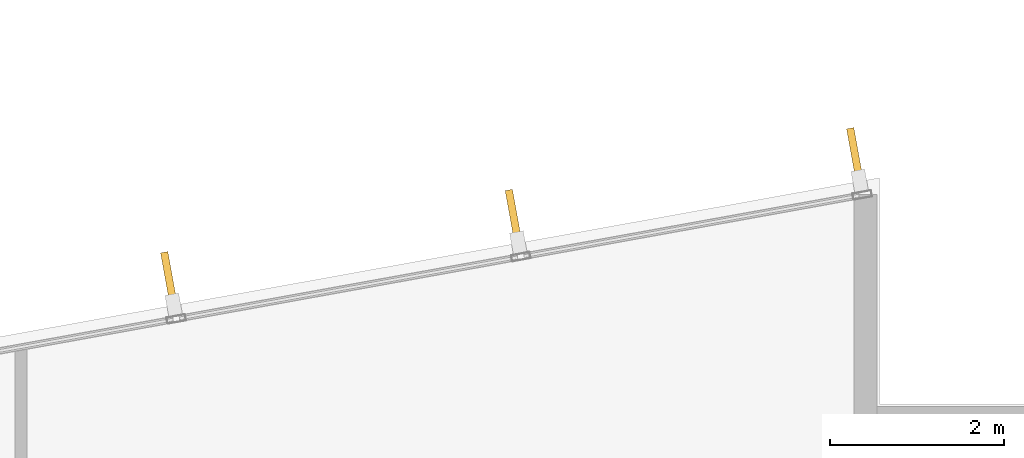
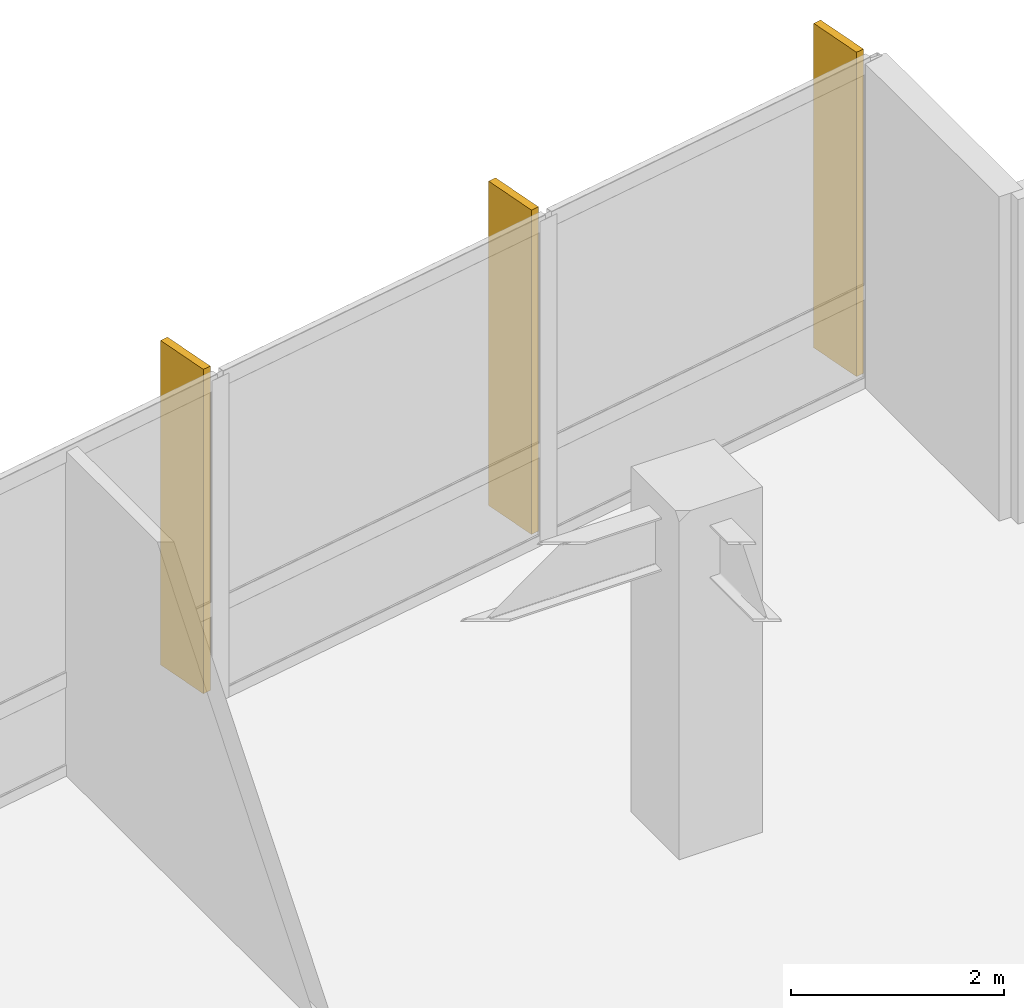
# One storey, part 21 of 21: 3 shading devices.
"""IFC4 building model written with IfcOpenShell, lengths in metres."""

from ifc_helpers import new_model, si_unit, direction, frame, origin, origin_2d, place, context, subcontext, project, spatial, rectangle, extrude, material, layer, layer_set, type_object, element, save


model = new_model("IFC4")

# Units and contexts
model_context = context("Model", 3, precision=1e-05, world=origin(), true_north=direction((0.0, 1.0)))
body_context = subcontext(model_context, "Body", "Model", "MODEL_VIEW")
ifc_project = project(units=[si_unit("LENGTHUNIT", "METRE"), si_unit("AREAUNIT", "SQUARE_METRE"), si_unit("VOLUMEUNIT", "CUBIC_METRE"), si_unit("PLANEANGLEUNIT", "RADIAN"), si_unit("MASSUNIT", "GRAM", prefix="KILO")], contexts=[model_context])

# Site, building, storey
site_placement = place(None, origin())
site = spatial("IfcSite", under=ifc_project, at=site_placement, CompositionType="ELEMENT")
building_placement = place(site_placement, origin())
building = spatial("IfcBuilding", under=site, at=building_placement, Name="Varnakote Quay Hospital", CompositionType="ELEMENT")
storey_placement = place(building_placement, frame((0.0, 0.0, 38.300048828125)))
storey = spatial("IfcBuildingStorey", under=building, at=storey_placement, Name="L09", CompositionType="ELEMENT", Elevation=38.300048828125)

# Shading devices
ifc_material = material(Name="Anodised aluminium 6063-T6 Bronze", Category="aluminium")
ifc_layer = layer(ifc_material, 0.0849609375)
ifc_layer_set = layer_set([ifc_layer], Name="Anodised aluminium 6063-T6 Bronze")
shading_device_type = type_object("IfcShadingDeviceType", Name="SHD-BRONZE-FIN-620", PredefinedType="USERDEFINED", material=ifc_layer_set)
for number, where, z_axis, x_axis, name in (
    (1, (55.319580078125, 34.664306640625, 0.0), (0.0, 0.0, 1.0), (0.177771795263, -0.984071739666, 0.0), "L09 Anodised Bronze Vertical Shading FIN"),
    (2, (51.393798828125, 33.954833984375, 0.0), (0.0, 0.0, 1.0), (0.177771795263, -0.984071739666, 0.0), "L09 Anodised Bronze Vertical Shading FIN"),
    (3, (47.43115234375, 33.23876953125, 0.0), (0.0, 0.0, 1.0), (0.177771795263, -0.984071739666, 0.0), "L09 Anodised Bronze Vertical Shading FIN"),
):
    element("IfcShadingDevice", number, at=place(storey_placement, frame(where, z_axis=z_axis, x_axis=x_axis)), inside=storey, type_object=shading_device_type, Name=name, ObjectType="FIN", PredefinedType="USERDEFINED", context=body_context, shape_type="SweptSolid", body=[
        extrude(rectangle(XDim=0.6201171875, YDim=0.0849609375, at=origin_2d()), origin(), (0.0, 0.0, 1.0), 3.7099609375),
    ])

save(model, "model.ifc")
